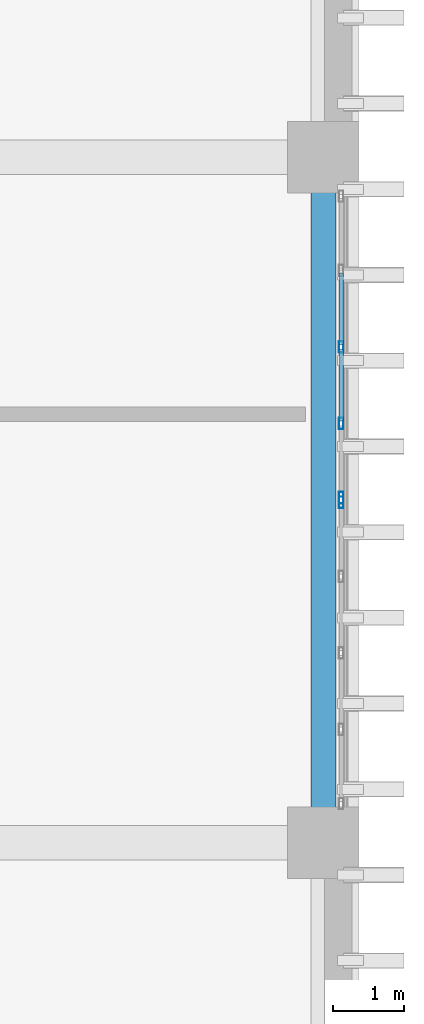
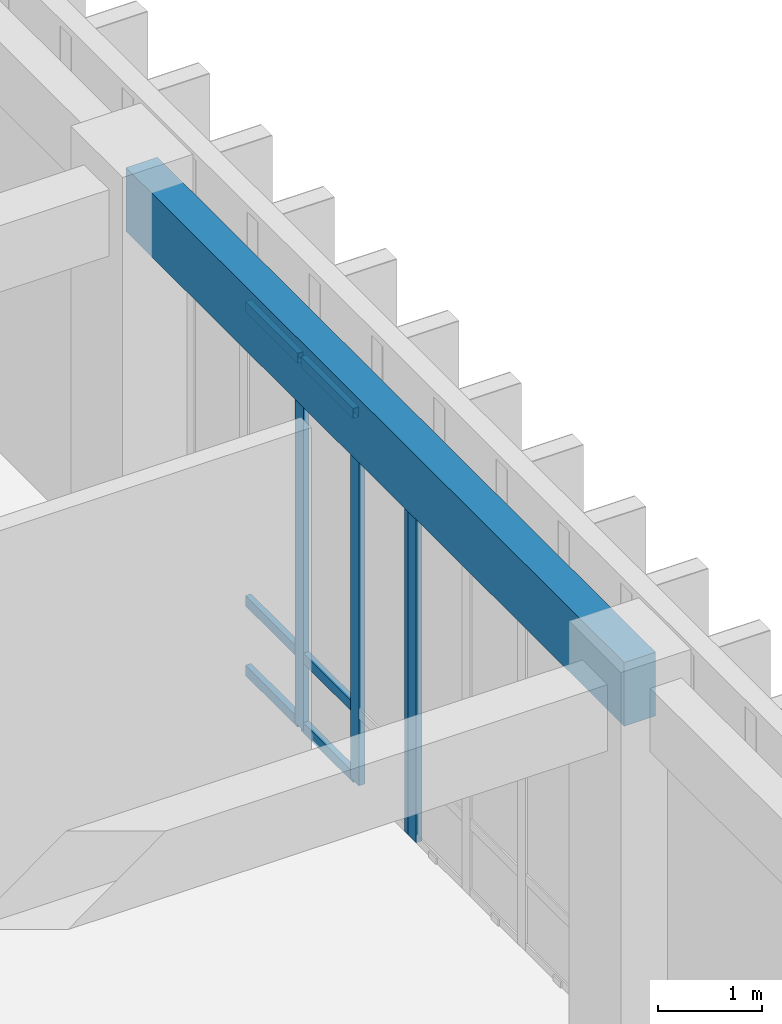
# One storey, part 75 of 134: 10 members, 1 beam, 2 elements without a shape of their own.
"""IFC4 building model written with IfcOpenShell, lengths in metres."""

import ifcopenshell
import ifcopenshell.guid

model = None  # the IFC model being written
_history = None  # IfcOwnerHistory: only IFC2X3 demands one
_inside = {}  # id of a spatial element -> (the spatial element, [elements in it])
_under = {}  # id of a project, library or spatial element -> (it, [spatial elements below it])
_declared = {}  # id of a project -> (the project, [libraries it declares])
_typed = {}  # id of a type object -> (the type object, [elements of that type])
_made_of = {}  # id of a material, layer set ... -> (it, [elements and type objects made of it])


def new_model(schema):
    """Start an empty IFC model of exactly this schema.

    Asked for "IFC4X3", IfcOpenShell would pick the latest addendum, in which some entities
    have other attributes; the version numbers below select the first issue.
    IFC2X3 requires an IfcOwnerHistory on every rooted entity: one is made here for all.
    """
    global model, _history
    if schema == "IFC4X3":
        model = ifcopenshell.file(schema_version=(4, 3, 0, 0))
    else:
        model = ifcopenshell.file(schema=schema)
    _inside.clear()
    _under.clear()
    _declared.clear()
    _typed.clear()
    _made_of.clear()
    _history = None
    if model.schema == "IFC2X3":
        org = make("IfcOrganization", Name="unknown")
        user = make(
            "IfcPersonAndOrganization",
            ThePerson=make("IfcPerson", FamilyName="unknown"),
            TheOrganization=org,
        )
        app = make(
            "IfcApplication",
            ApplicationDeveloper=org,
            Version="unknown",
            ApplicationFullName="unknown",
            ApplicationIdentifier="unknown",
        )
        _history = make(
            "IfcOwnerHistory",
            OwningUser=user,
            OwningApplication=app,
            ChangeAction="ADDED",
            CreationDate=0,
        )
    return model


def make(cls, **values):
    """One entity of the class cls with the attributes given. An attribute that is None is left unset."""
    return model.create_entity(
        cls, **{name: value for name, value in values.items() if value is not None}
    )


def rooted(cls, **values):
    """An entity with a GlobalId (a new one), such as an element, a storey or a relation."""
    return make(cls, GlobalId=ifcopenshell.guid.new(), OwnerHistory=_history, **values)


def si_unit(unit_type, name, prefix=None):
    """IfcSIUnit, for example si_unit("LENGTHUNIT", "METRE", prefix="MILLI")."""
    return make("IfcSIUnit", UnitType=unit_type, Prefix=prefix, Name=name)


def assignment(units):
    """IfcUnitAssignment: the units of a project."""
    return None if units is None else make("IfcUnitAssignment", Units=units)


def point(xyz):
    """IfcCartesianPoint."""
    return None if xyz is None else make("IfcCartesianPoint", Coordinates=xyz)


def direction(xyz):
    """IfcDirection."""
    return None if xyz is None else make("IfcDirection", DirectionRatios=xyz)


def frame(location, z_axis=None, x_axis=None):
    """IfcAxis2Placement3D, a coordinate frame: its origin and axes. An axis left out is left unset."""
    return make(
        "IfcAxis2Placement3D",
        Location=point(location),
        Axis=direction(z_axis),
        RefDirection=direction(x_axis),
    )


def frame_2d(location, x_axis=None):
    """IfcAxis2Placement2D, a coordinate frame in the plane: its origin and x axis."""
    return make(
        "IfcAxis2Placement2D", Location=point(location), RefDirection=direction(x_axis)
    )


def origin():
    """The frame at (0, 0, 0) with its axes left unset."""
    return frame((0.0, 0.0, 0.0))


def origin_2d():
    """The frame at (0, 0) in the plane with its x axis left unset."""
    return frame_2d((0.0, 0.0))


def place(relative_to, where):
    """IfcLocalPlacement: puts the frame where relative to a parent placement (None: the world)."""
    return make(
        "IfcLocalPlacement", PlacementRelTo=relative_to, RelativePlacement=where
    )


def context(
    kind, dimensions, precision=None, world=None, true_north=None, identifier=None
):
    """IfcGeometricRepresentationContext, for example the 3D "Model" context."""
    return make(
        "IfcGeometricRepresentationContext",
        ContextIdentifier=identifier,
        ContextType=kind,
        CoordinateSpaceDimension=dimensions,
        Precision=precision,
        WorldCoordinateSystem=world,
        TrueNorth=true_north,
    )


def subcontext(parent, identifier, kind, view, scale=None):
    """IfcGeometricRepresentationSubContext, for example "Body" below "Model"."""
    return make(
        "IfcGeometricRepresentationSubContext",
        ContextIdentifier=identifier,
        ContextType=kind,
        ParentContext=parent,
        TargetScale=scale,
        TargetView=view,
    )


def project(units=None, contexts=None):
    """IfcProject with its units and contexts."""
    return rooted(
        "IfcProject",
        Name="project",
        RepresentationContexts=contexts,
        UnitsInContext=assignment(units),
    )


def spatial(cls, under=None, at=None, **own):
    """A site, building, storey or space (cls), placed at a placement, below another one or the project."""
    s = rooted(cls, ObjectPlacement=at, **own)
    if under is not None:
        _under.setdefault(under.id(), (under, []))[1].append(s)
    return s


def profile(cls, at=None, kind="AREA", **sizes):
    """A parametric profile (cls). Its sizes go by their IFC names, for example OverallWidth=200.0."""
    return make(cls, ProfileType=kind, Position=at, **sizes)


def rectangle(**sizes):
    """IfcRectangleProfileDef."""
    return profile("IfcRectangleProfileDef", **sizes)


def hollow_rectangle(**sizes):
    """IfcRectangleHollowProfileDef."""
    return profile("IfcRectangleHollowProfileDef", **sizes)


def extrude(swept, where, along, depth):
    """IfcExtrudedAreaSolid: the profile swept, set in the frame where, extruded along a direction by depth."""
    return make(
        "IfcExtrudedAreaSolid",
        SweptArea=swept,
        Position=where,
        ExtrudedDirection=direction(along),
        Depth=depth,
    )


def shape(context_of_items, identifier, shape_type, items):
    """IfcShapeRepresentation: the items that make up one representation, for example the "Body"."""
    return make(
        "IfcShapeRepresentation",
        ContextOfItems=context_of_items,
        RepresentationIdentifier=identifier,
        RepresentationType=shape_type,
        Items=items,
    )


def material(Name=None, Category=None):
    """IfcMaterial."""
    return make("IfcMaterial", Name=Name, Category=Category)


def layer(
    of_material, thickness, ventilated=None, Name=None, Category=None, Priority=None
):
    """IfcMaterialLayer: one layer of a wall or slab, of a material (None: an air gap)."""
    return make(
        "IfcMaterialLayer",
        Material=of_material,
        LayerThickness=thickness,
        IsVentilated=ventilated,
        Name=Name,
        Category=Category,
        Priority=Priority,
    )


def layer_set(layers, Name=None):
    """IfcMaterialLayerSet."""
    return make("IfcMaterialLayerSet", MaterialLayers=layers, LayerSetName=Name)


def material_profile(
    of_material, cross_section, Name=None, Category=None, Priority=None
):
    """IfcMaterialProfile: a cross section and its material."""
    return make(
        "IfcMaterialProfile",
        Name=Name,
        Material=of_material,
        Profile=cross_section,
        Priority=Priority,
        Category=Category,
    )


def profile_set(profiles, Name=None, composite=None):
    """IfcMaterialProfileSet."""
    return make(
        "IfcMaterialProfileSet",
        Name=Name,
        MaterialProfiles=profiles,
        CompositeProfile=composite,
    )


def made_of(thing, what):
    """Note that an element or type object is made of a material, layer set ...; save() writes the relation."""
    if what is not None:
        _made_of.setdefault(what.id(), (what, []))[1].append(thing)
    return thing


def type_object(cls, material=None, **own):
    """A type object (cls), such as IfcWallType, which elements share."""
    return made_of(rooted(cls, **own), material)


def element(
    cls,
    number,
    at=None,
    inside=None,
    cuts=None,
    type_object=None,
    material=None,
    context=None,
    identifier="Body",
    shape_type=None,
    held_by="IfcProductDefinitionShape",
    body=None,
    shapes=None,
    **own,
):
    """One element of the class cls, such as IfcWall. Its Tag is "e" and its number.

    at: its placement. inside: the storey or other place that contains it. cuts: it is an
    opening in that element (IfcRelVoidsElement). A single representation is given by context,
    identifier, shape_type and body (its items); several are given by shapes. held_by: the class
    of the entity that holds the representations. save() writes the other relations.
    """
    e = rooted(cls, Tag="e%d" % number, ObjectPlacement=at, **own)
    if body is not None:
        shapes = [shape(context, identifier, shape_type, body)]
    if shapes is not None:
        e.Representation = make(held_by, Representations=shapes)
    if inside is not None:
        _inside.setdefault(inside.id(), (inside, []))[1].append(e)
    if cuts is not None:
        rooted(
            "IfcRelVoidsElement", RelatingBuildingElement=cuts, RelatedOpeningElement=e
        )
    if type_object is not None:
        _typed.setdefault(type_object.id(), (type_object, []))[1].append(e)
    return made_of(e, material)


def aggregate(whole, parts):
    """IfcRelAggregates: a whole, such as a stair, and the parts it consists of."""
    return rooted("IfcRelAggregates", RelatingObject=whole, RelatedObjects=parts)


def save(model, path):
    """Write the relations noted so far, then the file.

    IfcRelAggregates (storeys below a building ...), IfcRelContainedInSpatialStructure (elements
    in a storey), IfcRelDefinesByType, IfcRelAssociatesMaterial and IfcRelDeclares: one each for
    every whole, place, type object, material and project.
    """
    for whole, parts in _under.values():
        aggregate(whole, parts)
    for where, things in _inside.values():
        rooted(
            "IfcRelContainedInSpatialStructure",
            RelatedElements=things,
            RelatingStructure=where,
        )
    for kind, things in _typed.values():
        rooted("IfcRelDefinesByType", RelatedObjects=things, RelatingType=kind)
    for what, things in _made_of.values():
        rooted("IfcRelAssociatesMaterial", RelatedObjects=things, RelatingMaterial=what)
    for by, libraries in _declared.values():
        rooted("IfcRelDeclares", RelatingContext=by, RelatedDefinitions=libraries)
    model.write(path)


model = new_model("IFC4")

# Units and contexts
model_context = context("Model", 3, precision=1e-05, world=origin(), true_north=direction((0.0, 1.0)))
body_context = subcontext(model_context, "Body", "Model", "MODEL_VIEW")
ifc_project = project(units=[si_unit("LENGTHUNIT", "METRE"), si_unit("AREAUNIT", "SQUARE_METRE"), si_unit("VOLUMEUNIT", "CUBIC_METRE"), si_unit("PLANEANGLEUNIT", "RADIAN"), si_unit("MASSUNIT", "GRAM", prefix="KILO")], contexts=[model_context])

# Site, building, storey
site_placement = place(None, origin())
site = spatial("IfcSite", under=ifc_project, at=site_placement, CompositionType="ELEMENT")
building_placement = place(site_placement, origin())
building = spatial("IfcBuilding", under=site, at=building_placement, Name="Nakhvara Creek Congress Hotel", CompositionType="ELEMENT")
storey_placement = place(building_placement, frame((0.0, 0.0, 6.0)))
storey = spatial("IfcBuildingStorey", under=building, at=storey_placement, Name="L01", CompositionType="ELEMENT", Elevation=6.0)

# Beam
ifc_material_1 = material(Name="Concrete C40/50", Category="concrete")
ifc_material_profile_1 = material_profile(ifc_material_1, rectangle(XDim=0.35009765625, YDim=0.75, at=origin_2d()), Name="RC-SPANDREL 350x750", Category="LoadBearing")
ifc_profile_set_1 = profile_set([ifc_material_profile_1], Name="Concrete C40/50")
beam_type = type_object("IfcBeamType", Name="BM-SPN-350X750", PredefinedType="SPANDREL", material=ifc_profile_set_1)
beam_placement = place(storey_placement, frame((179.35009765625, 86.39990234375, 4.72509765625), z_axis=(0.0, 1.0, 0.0), x_axis=(-1.0, 0.0, 0.0)))
element("IfcBeam", 1, at=beam_placement, inside=storey, type_object=beam_type, Name="Beam SP1-L01-1358", PredefinedType="SPANDREL", context=body_context, shape_type="SweptSolid", body=[
    extrude(rectangle(XDim=0.35009765625, YDim=0.75, at=origin_2d()), origin(), (0.0, 0.0, 1.0), 9.60009765625),
])

# Curtain wall, member
ifc_material_2 = material(Name="Bronze-anodised aluminium AW-6063-T6 and double-silver low-E glass", Category="aluminium")
ifc_layer = layer(ifc_material_2, 0.199951171875)
ifc_layer_set = layer_set([ifc_layer], Name="Bronze-anodised aluminium AW-6063-T6 and double-silver low-E glass")
curtain_wall_type = type_object("IfcCurtainWallType", Name="CW-HTL-UNIT", PredefinedType="USERDEFINED", material=ifc_layer_set)
curtain_wall_1_placement = place(storey_placement, origin())
curtain_wall_1 = element("IfcCurtainWall", 2, at=curtain_wall_1_placement, inside=storey, type_object=curtain_wall_type, Name="Curtain Wall CW118", ObjectType="UNITISED", PredefinedType="USERDEFINED")
ifc_material_3 = material(Name="Bronze-anodised aluminium AW-6063-T6", Category="aluminium")
ifc_material_profile_2 = material_profile(ifc_material_3, hollow_rectangle(XDim=0.06494140625, YDim=0.159912109375, WallThickness=0.00390625, at=origin_2d()), Name="ALU-MULL 65x160x4", Category="LoadBearing")
ifc_profile_set_2 = profile_set([ifc_material_profile_2], Name="Bronze-anodised aluminium AW-6063-T6")
member_type_1 = type_object("IfcMemberType", Name="CW-MULL-160", PredefinedType="MULLION", material=ifc_profile_set_2)
member_1_placement = place(storey_placement, frame((179.60009765625, 91.16748046875, 0.0), z_axis=(0.0, 0.0, 1.0), x_axis=(1.0, 0.0, 0.0)))
member_1 = element("IfcMember", 3, at=member_1_placement, type_object=member_type_1, Name="CW118 mullion 1", PredefinedType="MULLION", context=body_context, shape_type="SweptSolid", body=[
    extrude(hollow_rectangle(XDim=0.06494140625, YDim=0.159912109375, WallThickness=0.00390625, at=origin_2d()), origin(), (0.0, 0.0, 1.0), 4.342041015625),
])
aggregate(curtain_wall_1, [member_1])

# Curtain wall, members
curtain_wall_2_placement = place(storey_placement, origin())
curtain_wall_2 = element("IfcCurtainWall", 4, at=curtain_wall_2_placement, inside=storey, type_object=curtain_wall_type, Name="Curtain Wall CW119", ObjectType="UNITISED", PredefinedType="USERDEFINED")
member_2_placement = place(storey_placement, frame((179.60009765625, 93.342529296875, 0.0), z_axis=(0.0, 0.0, 1.0), x_axis=(1.0, 0.0, 0.0)))
member_2 = element("IfcMember", 5, at=member_2_placement, type_object=member_type_1, Name="CW119 mullion 3", PredefinedType="MULLION", context=body_context, shape_type="SweptSolid", body=[
    extrude(hollow_rectangle(XDim=0.06494140625, YDim=0.159912109375, WallThickness=0.00390625, at=origin_2d()), origin(), (0.0, 0.0, 1.0), 4.342041015625),
])
member_3_placement = place(storey_placement, frame((179.60009765625, 92.271240234375, 0.0), z_axis=(0.0, 0.0, 1.0), x_axis=(1.0, 0.0, 0.0)))
member_3 = element("IfcMember", 6, at=member_3_placement, type_object=member_type_1, Name="CW119 mullion 4", PredefinedType="MULLION", context=body_context, shape_type="SweptSolid", body=[
    extrude(hollow_rectangle(XDim=0.06494140625, YDim=0.159912109375, WallThickness=0.00390625, at=origin_2d()), origin(), (0.0, 0.0, 1.0), 4.342041015625),
])
member_4_placement = place(storey_placement, frame((179.60009765625, 91.232421875, 0.0), z_axis=(0.0, 0.0, 1.0), x_axis=(1.0, 0.0, 0.0)))
member_4 = element("IfcMember", 7, at=member_4_placement, type_object=member_type_1, Name="CW119 mullion 5", PredefinedType="MULLION", context=body_context, shape_type="SweptSolid", body=[
    extrude(hollow_rectangle(XDim=0.06494140625, YDim=0.159912109375, WallThickness=0.00390625, at=origin_2d()), origin(), (0.0, 0.0, 1.0), 4.342041015625),
])
ifc_material_profile_3 = material_profile(ifc_material_3, hollow_rectangle(XDim=0.06494140625, YDim=0.1201171875, WallThickness=0.00390625, at=origin_2d()), Name="ALU-TRAN 65x120x4", Category="LoadBearing")
ifc_profile_set_3 = profile_set([ifc_material_profile_3], Name="Bronze-anodised aluminium AW-6063-T6")
member_type_2 = type_object("IfcMemberType", Name="CW-TRAN-120", PredefinedType="USERDEFINED", material=ifc_profile_set_3)
member_5_placement = place(storey_placement, frame((179.60009765625, 94.38134765625, 0.032470703125), z_axis=(0.0, -1.0, 0.0), x_axis=(1.0, 0.0, 0.0)))
member_5 = element("IfcMember", 8, at=member_5_placement, type_object=member_type_2, Name="CW119 transom 2.1", ObjectType="TRANSOM", PredefinedType="USERDEFINED", context=body_context, shape_type="SweptSolid", body=[
    extrude(hollow_rectangle(XDim=0.06494140625, YDim=0.1201171875, WallThickness=0.00390625, at=origin_2d()), origin(), (0.0, 0.0, 1.0), 1.00634765625),
])
member_6_placement = place(storey_placement, frame((179.60009765625, 94.38134765625, 0.85009765625), z_axis=(0.0, -1.0, 0.0), x_axis=(1.0, 0.0, 0.0)))
member_6 = element("IfcMember", 9, at=member_6_placement, type_object=member_type_2, Name="CW119 transom 2.2", ObjectType="TRANSOM", PredefinedType="USERDEFINED", context=body_context, shape_type="SweptSolid", body=[
    extrude(hollow_rectangle(XDim=0.06494140625, YDim=0.1201171875, WallThickness=0.00390625, at=origin_2d()), origin(), (0.0, 0.0, 1.0), 1.00634765625),
])
member_7_placement = place(storey_placement, frame((179.60009765625, 94.38134765625, 4.3095703125), z_axis=(0.0, -1.0, 0.0), x_axis=(1.0, 0.0, 0.0)))
member_7 = element("IfcMember", 10, at=member_7_placement, type_object=member_type_2, Name="CW119 transom 2.3", ObjectType="TRANSOM", PredefinedType="USERDEFINED", context=body_context, shape_type="SweptSolid", body=[
    extrude(hollow_rectangle(XDim=0.06494140625, YDim=0.1201171875, WallThickness=0.00390625, at=origin_2d()), origin(), (0.0, 0.0, 1.0), 1.00634765625),
])
member_8_placement = place(storey_placement, frame((179.60009765625, 93.31005859375, 0.032470703125), z_axis=(0.0, -1.0, 0.0), x_axis=(1.0, 0.0, 0.0)))
member_8 = element("IfcMember", 11, at=member_8_placement, type_object=member_type_2, Name="CW119 transom 3.1", ObjectType="TRANSOM", PredefinedType="USERDEFINED", context=body_context, shape_type="SweptSolid", body=[
    extrude(hollow_rectangle(XDim=0.06494140625, YDim=0.1201171875, WallThickness=0.00390625, at=origin_2d()), origin(), (0.0, 0.0, 1.0), 1.00634765625),
])
member_9_placement = place(storey_placement, frame((179.60009765625, 93.31005859375, 0.85009765625), z_axis=(0.0, -1.0, 0.0), x_axis=(1.0, 0.0, 0.0)))
member_9 = element("IfcMember", 12, at=member_9_placement, type_object=member_type_2, Name="CW119 transom 3.2", ObjectType="TRANSOM", PredefinedType="USERDEFINED", context=body_context, shape_type="SweptSolid", body=[
    extrude(hollow_rectangle(XDim=0.06494140625, YDim=0.1201171875, WallThickness=0.00390625, at=origin_2d()), origin(), (0.0, 0.0, 1.0), 1.00634765625),
])
member_10_placement = place(storey_placement, frame((179.60009765625, 93.31005859375, 4.3095703125), z_axis=(0.0, -1.0, 0.0), x_axis=(1.0, 0.0, 0.0)))
member_10 = element("IfcMember", 13, at=member_10_placement, type_object=member_type_2, Name="CW119 transom 3.3", ObjectType="TRANSOM", PredefinedType="USERDEFINED", context=body_context, shape_type="SweptSolid", body=[
    extrude(hollow_rectangle(XDim=0.06494140625, YDim=0.1201171875, WallThickness=0.00390625, at=origin_2d()), origin(), (0.0, 0.0, 1.0), 1.00634765625),
])
aggregate(curtain_wall_2, [member_2, member_3, member_4, member_5, member_6, member_7, member_8, member_9, member_10])

save(model, "model.ifc")
